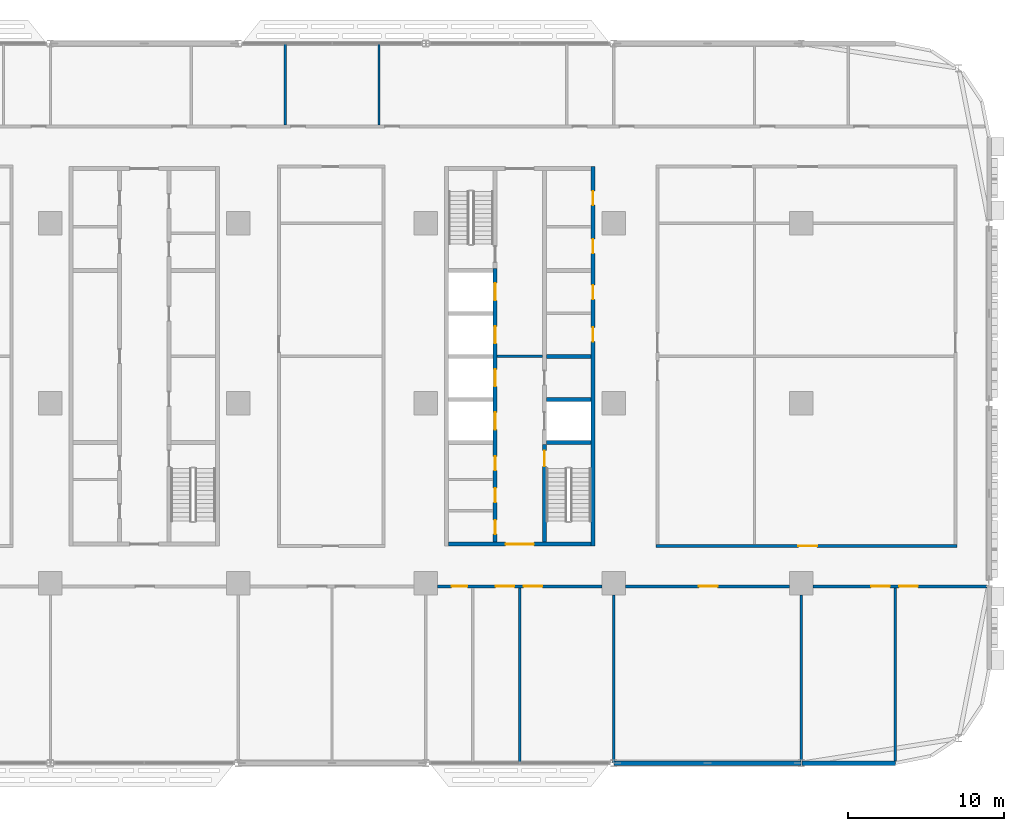
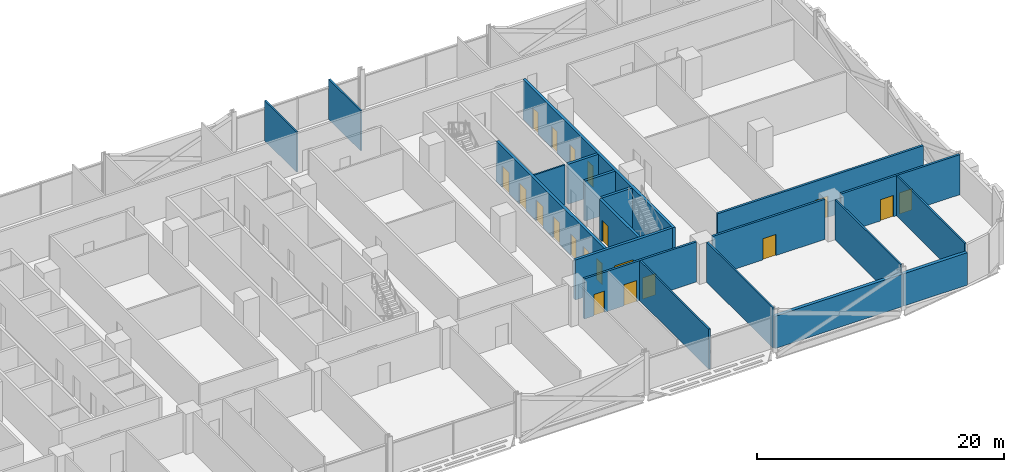
# One storey, part 16 of 29: 20 doors, 20 walls, 20 openings.
"""IFC4 building model written with IfcOpenShell, lengths in metres."""

from ifc_helpers import new_model, si_unit, direction, frame, frame_2d, origin, place, context, subcontext, project, spatial, rectangle, extrude, material, layer, layer_set, type_object, element, fill, save


model = new_model("IFC4")

# Units and contexts
model_context = context("Model", 3, precision=1e-05, world=origin(), true_north=direction((0.0, 1.0)))
body_context = subcontext(model_context, "Body", "Model", "MODEL_VIEW")
ifc_project = project(units=[si_unit("LENGTHUNIT", "METRE"), si_unit("AREAUNIT", "SQUARE_METRE"), si_unit("VOLUMEUNIT", "CUBIC_METRE"), si_unit("PLANEANGLEUNIT", "RADIAN"), si_unit("MASSUNIT", "GRAM", prefix="KILO")], contexts=[model_context])

# Site, building, storey
site_placement = place(None, origin())
site = spatial("IfcSite", under=ifc_project, at=site_placement, CompositionType="ELEMENT")
building_placement = place(site_placement, origin())
building = spatial("IfcBuilding", under=site, at=building_placement, Name="Mahtab Terrace Research Tower", CompositionType="ELEMENT")
storey_placement = place(building_placement, frame((0.0, 0.0, 58.89990234375)))
storey = spatial("IfcBuildingStorey", under=building, at=storey_placement, Name="L13", CompositionType="ELEMENT", Elevation=58.89990234375)

# Wall
ifc_material_1 = material(Name="Gypsum board partition")
ifc_layer_1 = layer(ifc_material_1, 0.14990234375)
ifc_layer_set_1 = layer_set([ifc_layer_1], Name="Core partition 150")
wall_type_1 = type_object("IfcWallType", Name="Core partition 150", PredefinedType="PARTITIONING", material=ifc_layer_set_1)
wall_1_placement = place(storey_placement, frame((22.550048828125, 3.0, 0.0), z_axis=(0.0, 0.0, 1.0), x_axis=(1.0, 0.0, 0.0)))
element("IfcWall", 1, at=wall_1_placement, inside=storey, type_object=wall_type_1, Name="Core wall C ffl", PredefinedType="PARTITIONING", context=body_context, shape_type="SweptSolid", body=[
    extrude(rectangle(XDim=2.89990234375, YDim=0.14990234375, at=frame_2d((1.449951171875, 0.0))), origin(), (0.0, 0.0, 1.0), 3.960205078125),
])

# Wall, openings, doors
ifc_material_2 = material(Name="Concrete C70/85", Category="concrete")
ifc_layer_2 = layer(ifc_material_2, 0.25)
ifc_layer_set_2 = layer_set([ifc_layer_2], Name="Core wall 250")
wall_type_2 = type_object("IfcWallType", Name="Core wall 250", PredefinedType="SOLIDWALL", material=ifc_layer_set_2)
wall_2_placement = place(storey_placement, frame((28.675048828125, -9.125, 0.0), z_axis=(0.0, 0.0, 1.0), x_axis=(0.0, 1.0, 0.0)))
wall_2 = element("IfcWall", 2, at=wall_2_placement, inside=storey, type_object=wall_type_2, Name="Core wall C outerE", PredefinedType="SOLIDWALL", context=body_context, shape_type="SweptSolid", body=[
    extrude(rectangle(XDim=24.25, YDim=0.25, at=frame_2d((12.125, 0.0))), origin(), (0.0, 0.0, 1.0), 3.960205078125),
])
opening_1_placement = place(wall_2_placement, frame((13.074951171875, 0.0, 0.0)))
opening_1 = element("IfcOpeningElement", 3, at=opening_1_placement, cuts=wall_2, Name="Opening C-R2", PredefinedType="OPENING", context=body_context, shape_type="SweptSolid", body=[
    extrude(rectangle(XDim=0.89990234375, YDim=2.10009765625, at=frame_2d((0.449951171875, 1.050048828125))), frame((0.0, 0.135009765625, 0.0), z_axis=(0.0, -1.0, 0.0), x_axis=(1.0, 0.0, 0.0)), (0.0, 0.0, 1.0), 0.27001953125),
])
opening_2_placement = place(wall_2_placement, frame((15.77490234375, 0.0, 0.0)))
opening_2 = element("IfcOpeningElement", 4, at=opening_2_placement, cuts=wall_2, Name="Opening C-R3", PredefinedType="OPENING", context=body_context, shape_type="SweptSolid", body=[
    extrude(rectangle(XDim=0.89990234375, YDim=2.10009765625, at=frame_2d((0.449951171875, 1.050048828125))), frame((0.0, 0.135009765625, 0.0), z_axis=(0.0, -1.0, 0.0), x_axis=(1.0, 0.0, 0.0)), (0.0, 0.0, 1.0), 0.27001953125),
])
opening_3_placement = place(wall_2_placement, frame((18.71240234375, 0.0, 0.0)))
opening_3 = element("IfcOpeningElement", 5, at=opening_3_placement, cuts=wall_2, Name="Opening C-R7", PredefinedType="OPENING", context=body_context, shape_type="SweptSolid", body=[
    extrude(rectangle(XDim=0.89990234375, YDim=2.10009765625, at=frame_2d((0.449951171875, 1.050048828125))), frame((0.0, 0.135009765625, 0.0), z_axis=(0.0, -1.0, 0.0), x_axis=(1.0, 0.0, 0.0)), (0.0, 0.0, 1.0), 0.27001953125),
])
opening_4_placement = place(wall_2_placement, frame((21.78759765625, 0.0, 0.0)))
opening_4 = element("IfcOpeningElement", 6, at=opening_4_placement, cuts=wall_2, Name="Opening C-R8", PredefinedType="OPENING", context=body_context, shape_type="SweptSolid", body=[
    extrude(rectangle(XDim=0.89990234375, YDim=2.10009765625, at=frame_2d((0.449951171875, 1.050048828125))), frame((0.0, 0.135009765625, 0.0), z_axis=(0.0, -1.0, 0.0), x_axis=(1.0, 0.0, 0.0)), (0.0, 0.0, 1.0), 0.27001953125),
])
ifc_material_3 = material(Name="Steel fire door", Category="steel")
door_type_1 = type_object("IfcDoorType", Name="Room door 900x2100 1 HR", OperationType="NOTDEFINED", PredefinedType="DOOR", material=ifc_material_3)
door_1_placement = place(opening_1_placement, origin())
door_1 = element("IfcDoor", 7, at=door_1_placement, inside=storey, type_object=door_type_1, Name="Document store door", OperationType="SINGLE_SWING_RIGHT", OverallHeight=2.10009765625, OverallWidth=0.89990234375, PredefinedType="DOOR", context=body_context, shape_type="SweptSolid", body=[
    extrude(rectangle(XDim=0.89990234375, YDim=2.10009765625, at=frame_2d((0.449951171875, 1.050048828125))), frame((0.0, 0.02490234375, 0.0), z_axis=(0.0, -1.0, 0.0), x_axis=(1.0, 0.0, 0.0)), (0.0, 0.0, 1.0), 0.050048828125),
])
fill(opening_1, door_1)
door_2_placement = place(opening_2_placement, origin())
door_2 = element("IfcDoor", 8, at=door_2_placement, inside=storey, type_object=door_type_1, Name="IT equipment room door", OperationType="SINGLE_SWING_LEFT", OverallHeight=2.10009765625, OverallWidth=0.89990234375, PredefinedType="DOOR", context=body_context, shape_type="SweptSolid", body=[
    extrude(rectangle(XDim=0.89990234375, YDim=2.10009765625, at=frame_2d((0.449951171875, 1.050048828125))), frame((0.0, 0.02490234375, 0.0), z_axis=(0.0, -1.0, 0.0), x_axis=(1.0, 0.0, 0.0)), (0.0, 0.0, 1.0), 0.050048828125),
])
fill(opening_2, door_2)
door_3_placement = place(opening_3_placement, origin())
door_3 = element("IfcDoor", 9, at=door_3_placement, inside=storey, type_object=door_type_1, Name="Mechanical riser room door", OperationType="SINGLE_SWING_LEFT", OverallHeight=2.10009765625, OverallWidth=0.89990234375, PredefinedType="DOOR", context=body_context, shape_type="SweptSolid", body=[
    extrude(rectangle(XDim=0.89990234375, YDim=2.10009765625, at=frame_2d((0.449951171875, 1.050048828125))), frame((0.0, 0.02490234375, 0.0), z_axis=(0.0, -1.0, 0.0), x_axis=(1.0, 0.0, 0.0)), (0.0, 0.0, 1.0), 0.050048828125),
])
fill(opening_3, door_3)
door_4_placement = place(opening_4_placement, origin())
door_4 = element("IfcDoor", 10, at=door_4_placement, inside=storey, type_object=door_type_1, Name="Chemical store door", OperationType="SINGLE_SWING_RIGHT", OverallHeight=2.10009765625, OverallWidth=0.89990234375, PredefinedType="DOOR", context=body_context, shape_type="SweptSolid", body=[
    extrude(rectangle(XDim=0.89990234375, YDim=2.10009765625, at=frame_2d((0.449951171875, 1.050048828125))), frame((0.0, 0.02490234375, 0.0), z_axis=(0.0, -1.0, 0.0), x_axis=(1.0, 0.0, 0.0)), (0.0, 0.0, 1.0), 0.050048828125),
])
fill(opening_4, door_4)

# Wall, opening, door
wall_3_placement = place(storey_placement, frame((28.550048828125, -9.0, 0.0), z_axis=(0.0, 0.0, 1.0), x_axis=(-1.0, 0.0, 0.0)))
wall_3 = element("IfcWall", 11, at=wall_3_placement, inside=storey, type_object=wall_type_2, Name="Core wall C endS", PredefinedType="SOLIDWALL", context=body_context, shape_type="SweptSolid", body=[
    extrude(rectangle(XDim=9.10009765625, YDim=0.25, at=frame_2d((4.550048828125, 0.0))), origin(), (0.0, 0.0, 1.0), 3.960205078125),
])
opening_5_placement = place(wall_3_placement, frame((3.64990234375, 0.0, 0.0)))
opening_5 = element("IfcOpeningElement", 12, at=opening_5_placement, cuts=wall_3, Name="Opening C-S1", PredefinedType="OPENING", context=body_context, shape_type="SweptSolid", body=[
    extrude(rectangle(XDim=1.800048828125, YDim=2.10009765625, at=frame_2d((0.89990234375, 1.050048828125))), frame((0.0, 0.135009765625, 0.0), z_axis=(0.0, -1.0, 0.0), x_axis=(1.0, 0.0, 0.0)), (0.0, 0.0, 1.0), 0.27001953125),
])
door_type_2 = type_object("IfcDoorType", Name="Lobby double door 1800x2100 1 HR", OperationType="DOUBLE_DOOR_SINGLE_SWING", PredefinedType="DOOR", material=ifc_material_3)
door_5_placement = place(opening_5_placement, origin())
door_5 = element("IfcDoor", 13, at=door_5_placement, inside=storey, type_object=door_type_2, Name="Core entrance door C S", OperationType="DOUBLE_DOOR_SINGLE_SWING", OverallHeight=2.10009765625, OverallWidth=1.800048828125, PredefinedType="DOOR", context=body_context, shape_type="SweptSolid", body=[
    extrude(rectangle(XDim=1.800048828125, YDim=2.10009765625, at=frame_2d((0.89990234375, 1.050048828125))), frame((0.0, 0.02490234375, 0.0), z_axis=(0.0, -1.0, 0.0), x_axis=(1.0, 0.0, 0.0)), (0.0, 0.0, 1.0), 0.050048828125),
])
fill(opening_5, door_5)

# Wall, openings, doors
wall_4_placement = place(storey_placement, frame((22.425048828125, -8.875, 0.0), z_axis=(0.0, 0.0, 1.0), x_axis=(0.0, 1.0, 0.0)))
wall_4 = element("IfcWall", 14, at=wall_4_placement, inside=storey, type_object=wall_type_2, Name="Core wall C innerWSL", PredefinedType="SOLIDWALL", context=body_context, shape_type="SweptSolid", body=[
    extrude(rectangle(XDim=17.5, YDim=0.25, at=frame_2d((8.75, 0.0))), origin(), (0.0, 0.0, 1.0), 3.960205078125),
])
opening_6_placement = place(wall_4_placement, frame((7.199951171875, 0.0, 0.0)))
opening_6 = element("IfcOpeningElement", 15, at=opening_6_placement, cuts=wall_4, Name="Opening LD17-L13", PredefinedType="OPENING", context=body_context, shape_type="SweptSolid", body=[
    extrude(rectangle(XDim=1.10009765625, YDim=2.10009765625, at=frame_2d((0.550048828125, 1.050048828125))), frame((0.0, 0.135009765625, 0.0), z_axis=(0.0, -1.0, 0.0), x_axis=(1.0, 0.0, 0.0)), (0.0, 0.0, 1.0), 0.27001953125),
])
opening_7_placement = place(wall_4_placement, frame((9.949951171875, 0.0, 0.0)))
opening_7 = element("IfcOpeningElement", 16, at=opening_7_placement, cuts=wall_4, Name="Opening LD18-L13", PredefinedType="OPENING", context=body_context, shape_type="SweptSolid", body=[
    extrude(rectangle(XDim=1.10009765625, YDim=2.10009765625, at=frame_2d((0.550048828125, 1.050048828125))), frame((0.0, 0.135009765625, 0.0), z_axis=(0.0, -1.0, 0.0), x_axis=(1.0, 0.0, 0.0)), (0.0, 0.0, 1.0), 0.27001953125),
])
opening_8_placement = place(wall_4_placement, frame((12.699951171875, 0.0, 0.0)))
opening_8 = element("IfcOpeningElement", 17, at=opening_8_placement, cuts=wall_4, Name="Opening LD19-L13", PredefinedType="OPENING", context=body_context, shape_type="SweptSolid", body=[
    extrude(rectangle(XDim=1.10009765625, YDim=2.10009765625, at=frame_2d((0.550048828125, 1.050048828125))), frame((0.0, 0.135009765625, 0.0), z_axis=(0.0, -1.0, 0.0), x_axis=(1.0, 0.0, 0.0)), (0.0, 0.0, 1.0), 0.27001953125),
])
opening_9_placement = place(wall_4_placement, frame((15.449951171875, 0.0, 0.0)))
opening_9 = element("IfcOpeningElement", 18, at=opening_9_placement, cuts=wall_4, Name="Opening LD20-L13", PredefinedType="OPENING", context=body_context, shape_type="SweptSolid", body=[
    extrude(rectangle(XDim=1.10009765625, YDim=2.10009765625, at=frame_2d((0.550048828125, 1.050048828125))), frame((0.0, 0.135009765625, 0.0), z_axis=(0.0, -1.0, 0.0), x_axis=(1.0, 0.0, 0.0)), (0.0, 0.0, 1.0), 0.27001953125),
])
opening_10_placement = place(wall_4_placement, frame((0.512451171875, 0.0, 0.0)))
opening_10 = element("IfcOpeningElement", 19, at=opening_10_placement, cuts=wall_4, Name="Opening C-R4", PredefinedType="OPENING", context=body_context, shape_type="SweptSolid", body=[
    extrude(rectangle(XDim=0.89990234375, YDim=2.10009765625, at=frame_2d((0.449951171875, 1.050048828125))), frame((0.0, 0.135009765625, 0.0), z_axis=(0.0, -1.0, 0.0), x_axis=(1.0, 0.0, 0.0)), (0.0, 0.0, 1.0), 0.27001953125),
])
opening_11_placement = place(wall_4_placement, frame((2.550048828125, 0.0, 0.0)))
opening_11 = element("IfcOpeningElement", 20, at=opening_11_placement, cuts=wall_4, Name="Opening C-R5", PredefinedType="OPENING", context=body_context, shape_type="SweptSolid", body=[
    extrude(rectangle(XDim=0.89990234375, YDim=2.10009765625, at=frame_2d((0.449951171875, 1.050048828125))), frame((0.0, 0.135009765625, 0.0), z_axis=(0.0, -1.0, 0.0), x_axis=(1.0, 0.0, 0.0)), (0.0, 0.0, 1.0), 0.27001953125),
])
opening_12_placement = place(wall_4_placement, frame((4.58740234375, 0.0, 0.0)))
opening_12 = element("IfcOpeningElement", 21, at=opening_12_placement, cuts=wall_4, Name="Opening C-R6", PredefinedType="OPENING", context=body_context, shape_type="SweptSolid", body=[
    extrude(rectangle(XDim=0.89990234375, YDim=2.10009765625, at=frame_2d((0.449951171875, 1.050048828125))), frame((0.0, 0.135009765625, 0.0), z_axis=(0.0, -1.0, 0.0), x_axis=(1.0, 0.0, 0.0)), (0.0, 0.0, 1.0), 0.27001953125),
])
ifc_material_4 = material(Name="Stainless steel AISI 304", Category="steel")
door_type_3 = type_object("IfcDoorType", Name="Landing door 1100x2100", OperationType="DOUBLE_DOOR_SLIDING", PredefinedType="DOOR", material=ifc_material_4)
door_6_placement = place(opening_6_placement, origin())
door_6 = element("IfcDoor", 22, at=door_6_placement, inside=storey, type_object=door_type_3, Name="Landing door SV1 L13", OperationType="DOUBLE_DOOR_SLIDING", OverallHeight=2.10009765625, OverallWidth=1.10009765625, PredefinedType="DOOR", context=body_context, shape_type="SweptSolid", body=[
    extrude(rectangle(XDim=1.10009765625, YDim=2.10009765625, at=frame_2d((0.550048828125, 1.050048828125))), frame((0.0, 0.02490234375, 0.0), z_axis=(0.0, -1.0, 0.0), x_axis=(1.0, 0.0, 0.0)), (0.0, 0.0, 1.0), 0.050048828125),
])
fill(opening_6, door_6)
door_7_placement = place(opening_7_placement, origin())
door_7 = element("IfcDoor", 23, at=door_7_placement, inside=storey, type_object=door_type_3, Name="Landing door SV2 L13", OperationType="DOUBLE_DOOR_SLIDING", OverallHeight=2.10009765625, OverallWidth=1.10009765625, PredefinedType="DOOR", context=body_context, shape_type="SweptSolid", body=[
    extrude(rectangle(XDim=1.10009765625, YDim=2.10009765625, at=frame_2d((0.550048828125, 1.050048828125))), frame((0.0, 0.02490234375, 0.0), z_axis=(0.0, -1.0, 0.0), x_axis=(1.0, 0.0, 0.0)), (0.0, 0.0, 1.0), 0.050048828125),
])
fill(opening_7, door_7)
door_8_placement = place(opening_8_placement, origin())
door_8 = element("IfcDoor", 24, at=door_8_placement, inside=storey, type_object=door_type_3, Name="Landing door FF1 L13", OperationType="DOUBLE_DOOR_SLIDING", OverallHeight=2.10009765625, OverallWidth=1.10009765625, PredefinedType="DOOR", context=body_context, shape_type="SweptSolid", body=[
    extrude(rectangle(XDim=1.10009765625, YDim=2.10009765625, at=frame_2d((0.550048828125, 1.050048828125))), frame((0.0, 0.02490234375, 0.0), z_axis=(0.0, -1.0, 0.0), x_axis=(1.0, 0.0, 0.0)), (0.0, 0.0, 1.0), 0.050048828125),
])
fill(opening_8, door_8)
door_9_placement = place(opening_9_placement, origin())
door_9 = element("IfcDoor", 25, at=door_9_placement, inside=storey, type_object=door_type_3, Name="Landing door FF2 L13", OperationType="DOUBLE_DOOR_SLIDING", OverallHeight=2.10009765625, OverallWidth=1.10009765625, PredefinedType="DOOR", context=body_context, shape_type="SweptSolid", body=[
    extrude(rectangle(XDim=1.10009765625, YDim=2.10009765625, at=frame_2d((0.550048828125, 1.050048828125))), frame((0.0, 0.02490234375, 0.0), z_axis=(0.0, -1.0, 0.0), x_axis=(1.0, 0.0, 0.0)), (0.0, 0.0, 1.0), 0.050048828125),
])
fill(opening_9, door_9)
door_10_placement = place(opening_10_placement, origin())
door_10 = element("IfcDoor", 26, at=door_10_placement, inside=storey, type_object=door_type_1, Name="Male WC door", OperationType="SINGLE_SWING_RIGHT", OverallHeight=2.10009765625, OverallWidth=0.89990234375, PredefinedType="DOOR", context=body_context, shape_type="SweptSolid", body=[
    extrude(rectangle(XDim=0.89990234375, YDim=2.10009765625, at=frame_2d((0.449951171875, 1.050048828125))), frame((0.0, 0.02490234375, 0.0), z_axis=(0.0, -1.0, 0.0), x_axis=(1.0, 0.0, 0.0)), (0.0, 0.0, 1.0), 0.050048828125),
])
fill(opening_10, door_10)
door_11_placement = place(opening_11_placement, origin())
door_11 = element("IfcDoor", 27, at=door_11_placement, inside=storey, type_object=door_type_1, Name="Female WC door", OperationType="SINGLE_SWING_LEFT", OverallHeight=2.10009765625, OverallWidth=0.89990234375, PredefinedType="DOOR", context=body_context, shape_type="SweptSolid", body=[
    extrude(rectangle(XDim=0.89990234375, YDim=2.10009765625, at=frame_2d((0.449951171875, 1.050048828125))), frame((0.0, 0.02490234375, 0.0), z_axis=(0.0, -1.0, 0.0), x_axis=(1.0, 0.0, 0.0)), (0.0, 0.0, 1.0), 0.050048828125),
])
fill(opening_11, door_11)
door_12_placement = place(opening_12_placement, origin())
door_12 = element("IfcDoor", 28, at=door_12_placement, inside=storey, type_object=door_type_1, Name="Accessible WC door", OperationType="SINGLE_SWING_RIGHT", OverallHeight=2.10009765625, OverallWidth=0.89990234375, PredefinedType="DOOR", context=body_context, shape_type="SweptSolid", body=[
    extrude(rectangle(XDim=0.89990234375, YDim=2.10009765625, at=frame_2d((0.449951171875, 1.050048828125))), frame((0.0, 0.02490234375, 0.0), z_axis=(0.0, -1.0, 0.0), x_axis=(1.0, 0.0, 0.0)), (0.0, 0.0, 1.0), 0.050048828125),
])
fill(opening_12, door_12)

# Wall, opening, door
wall_5_placement = place(storey_placement, frame((25.574951171875, -8.875, 0.0), z_axis=(0.0, 0.0, 1.0), x_axis=(0.0, 1.0, 0.0)))
wall_5 = element("IfcWall", 29, at=wall_5_placement, inside=storey, type_object=wall_type_2, Name="Core wall C innerES", PredefinedType="SOLIDWALL", context=body_context, shape_type="SweptSolid", body=[
    extrude(rectangle(XDim=6.25, YDim=0.25, at=frame_2d((3.125, 0.0))), origin(), (0.0, 0.0, 1.0), 3.960205078125),
])
opening_13_placement = place(wall_5_placement, frame((4.85009765625, 0.0, 0.0)))
opening_13 = element("IfcOpeningElement", 30, at=opening_13_placement, cuts=wall_5, Name="Opening C-ST4", PredefinedType="OPENING", context=body_context, shape_type="SweptSolid", body=[
    extrude(rectangle(XDim=1.0, YDim=2.10009765625, at=frame_2d((0.5, 1.050048828125))), frame((0.0, 0.135009765625, 0.0), z_axis=(0.0, -1.0, 0.0), x_axis=(1.0, 0.0, 0.0)), (0.0, 0.0, 1.0), 0.27001953125),
])
door_type_4 = type_object("IfcDoorType", Name="Stair door 1000x2100 1.5 HR", OperationType="NOTDEFINED", PredefinedType="DOOR", material=ifc_material_3)
door_13_placement = place(opening_13_placement, origin())
door_13 = element("IfcDoor", 31, at=door_13_placement, inside=storey, type_object=door_type_4, Name="Stair door ST4 L13", OperationType="SINGLE_SWING_RIGHT", OverallHeight=2.10009765625, OverallWidth=1.0, PredefinedType="DOOR", context=body_context, shape_type="SweptSolid", body=[
    extrude(rectangle(XDim=1.0, YDim=2.10009765625, at=frame_2d((0.5, 1.050048828125))), frame((0.0, 0.02490234375, 0.0), z_axis=(0.0, -1.0, 0.0), x_axis=(1.0, 0.0, 0.0)), (0.0, 0.0, 1.0), 0.050048828125),
])
fill(opening_13, door_13)

# Walls
for number, where, z_axis, x_axis, name in (
    (32, (25.699951171875, -2.5, 0.0), (0.0, 0.0, 1.0), (1.0, 0.0, 0.0), "Core wall C divE0"),
    (33, (25.699951171875, 0.25, 0.0), (0.0, 0.0, 1.0), (1.0, 0.0, 0.0), "Core wall C divE1"),
    (34, (25.699951171875, 3.0, 0.0), (0.0, 0.0, 1.0), (1.0, 0.0, 0.0), "Core wall C divE2"),
):
    element("IfcWall", number, at=place(storey_placement, frame(where, z_axis=z_axis, x_axis=x_axis)), inside=storey, type_object=wall_type_2, Name=name, PredefinedType="SOLIDWALL", context=body_context, shape_type="SweptSolid", body=[
        extrude(rectangle(XDim=2.85009765625, YDim=0.25, at=frame_2d((1.425048828125, 0.0))), origin(), (0.0, 0.0, 1.0), 3.960205078125),
    ])
ifc_material_5 = material(Name="Black aluminium cladding panel", Category="aluminium")
ifc_layer_3 = layer(ifc_material_5, 0.300048828125)
ifc_layer_set_3 = layer_set([ifc_layer_3], Name="Opaque facade wall 300")
wall_type_3 = type_object("IfcWallType", Name="Opaque facade wall 300", PredefinedType="NOTDEFINED", material=ifc_layer_set_3)
wall_6_placement = place(storey_placement, frame((30.02392578125, -23.0, 0.0), z_axis=(0.0, 0.0, 1.0), x_axis=(1.0, 0.0, 0.0)))
element("IfcWall", 35, at=wall_6_placement, inside=storey, type_object=wall_type_3, Name="Opaque facade wall L13 S29", PredefinedType="NOTDEFINED", context=body_context, shape_type="SweptSolid", body=[
    extrude(rectangle(XDim=11.9521484375, YDim=0.300048828125, at=frame_2d((5.97607421875, 0.0))), origin(), (0.0, 0.0, 1.0), 3.203125),
])
wall_7_placement = place(storey_placement, frame((42.02392578125, -23.0, 0.0), z_axis=(0.0, 0.0, 1.0), x_axis=(1.0, 0.0, 0.0)))
element("IfcWall", 36, at=wall_7_placement, inside=storey, type_object=wall_type_3, Name="Opaque facade wall L13 S30", PredefinedType="NOTDEFINED", context=body_context, shape_type="SweptSolid", body=[
    extrude(rectangle(XDim=5.97607421875, YDim=0.300048828125, at=frame_2d((2.988037109375, 0.0))), origin(), (0.0, 0.0, 1.0), 3.203125),
])

# Wall, openings, doors
ifc_material_6 = material(Name="Gypsum board corridor wall on steel studs", Category="steel")
ifc_layer_4 = layer(ifc_material_6, 0.199951171875)
ifc_layer_set_4 = layer_set([ifc_layer_4], Name="WALL CORRIDOR 200")
wall_type_4 = type_object("IfcWallType", Name="WALL CORRIDOR 200", PredefinedType="PARTITIONING", material=ifc_layer_set_4)
wall_8_placement = place(storey_placement, frame((18.75, -11.699951171875, 0.0), z_axis=(0.0, 0.0, 1.0), x_axis=(1.0, 0.0, 0.0)))
wall_8 = element("IfcWall", 37, at=wall_8_placement, inside=storey, type_object=wall_type_4, Name="L13-W006", PredefinedType="PARTITIONING", context=body_context, shape_type="SweptSolid", body=[
    extrude(rectangle(XDim=10.5, YDim=0.199951171875, at=frame_2d((5.25, 0.0))), origin(), (0.0, 0.0, 1.0), 3.960205078125),
])
opening_14_placement = place(wall_8_placement, frame((0.89990234375, 0.0, 0.0)))
opening_14 = element("IfcOpeningElement", 38, at=opening_14_placement, cuts=wall_8, Name="Opening L13-110", PredefinedType="OPENING", context=body_context, shape_type="SweptSolid", body=[
    extrude(rectangle(XDim=1.0, YDim=2.10009765625, at=frame_2d((0.5, 1.050048828125))), frame((0.0, 0.10986328125, 0.0), z_axis=(0.0, -1.0, 0.0), x_axis=(1.0, 0.0, 0.0)), (0.0, 0.0, 1.0), 0.219970703125),
])
opening_15_placement = place(wall_8_placement, frame((3.699951171875, 0.0, 0.0)))
opening_15 = element("IfcOpeningElement", 39, at=opening_15_placement, cuts=wall_8, Name="Opening L13-111", PredefinedType="OPENING", context=body_context, shape_type="SweptSolid", body=[
    extrude(rectangle(XDim=1.199951171875, YDim=2.10009765625, at=frame_2d((0.60009765625, 1.050048828125))), frame((0.0, 0.10986328125, 0.0), z_axis=(0.0, -1.0, 0.0), x_axis=(1.0, 0.0, 0.0)), (0.0, 0.0, 1.0), 0.219970703125),
])
opening_16_placement = place(wall_8_placement, frame((5.5, 0.0, 0.0)))
opening_16 = element("IfcOpeningElement", 40, at=opening_16_placement, cuts=wall_8, Name="Opening L13-112", PredefinedType="OPENING", context=body_context, shape_type="SweptSolid", body=[
    extrude(rectangle(XDim=1.199951171875, YDim=2.10009765625, at=frame_2d((0.60009765625, 1.050048828125))), frame((0.0, 0.10986328125, 0.0), z_axis=(0.0, -1.0, 0.0), x_axis=(1.0, 0.0, 0.0)), (0.0, 0.0, 1.0), 0.219970703125),
])
ifc_material_7 = material(Name="Timber door leaf in steel frame", Category="steel")
door_type_5 = type_object("IfcDoorType", Name="DOOR 1000X2100 FD30S", OperationType="SINGLE_SWING_LEFT", PredefinedType="DOOR", material=ifc_material_7)
door_14_placement = place(opening_14_placement, origin())
door_14 = element("IfcDoor", 41, at=door_14_placement, inside=storey, type_object=door_type_5, Name="Door L13-110", OperationType="SINGLE_SWING_RIGHT", OverallHeight=2.10009765625, OverallWidth=1.0, PredefinedType="DOOR", context=body_context, shape_type="SweptSolid", body=[
    extrude(rectangle(XDim=1.0, YDim=2.10009765625, at=frame_2d((0.5, 1.050048828125))), frame((0.0, 0.02490234375, 0.0), z_axis=(0.0, -1.0, 0.0), x_axis=(1.0, 0.0, 0.0)), (0.0, 0.0, 1.0), 0.050048828125),
])
fill(opening_14, door_14)
door_type_6 = type_object("IfcDoorType", Name="DOOR 1200X2100 FD30S", OperationType="SINGLE_SWING_LEFT", PredefinedType="DOOR", material=ifc_material_7)
door_15_placement = place(opening_15_placement, origin())
door_15 = element("IfcDoor", 42, at=door_15_placement, inside=storey, type_object=door_type_6, Name="Door L13-111", OperationType="SINGLE_SWING_RIGHT", OverallHeight=2.10009765625, OverallWidth=1.199951171875, PredefinedType="DOOR", context=body_context, shape_type="SweptSolid", body=[
    extrude(rectangle(XDim=1.199951171875, YDim=2.10009765625, at=frame_2d((0.60009765625, 1.050048828125))), frame((0.0, 0.02490234375, 0.0), z_axis=(0.0, -1.0, 0.0), x_axis=(1.0, 0.0, 0.0)), (0.0, 0.0, 1.0), 0.050048828125),
])
fill(opening_15, door_15)
door_16_placement = place(opening_16_placement, origin())
door_16 = element("IfcDoor", 43, at=door_16_placement, inside=storey, type_object=door_type_6, Name="Door L13-112", OperationType="SINGLE_SWING_LEFT", OverallHeight=2.10009765625, OverallWidth=1.199951171875, PredefinedType="DOOR", context=body_context, shape_type="SweptSolid", body=[
    extrude(rectangle(XDim=1.199951171875, YDim=2.10009765625, at=frame_2d((0.60009765625, 1.050048828125))), frame((0.0, 0.02490234375, 0.0), z_axis=(0.0, -1.0, 0.0), x_axis=(1.0, 0.0, 0.0)), (0.0, 0.0, 1.0), 0.050048828125),
])
fill(opening_16, door_16)

# Wall, opening, door
wall_9_placement = place(storey_placement, frame((30.75, -11.699951171875, 0.0), z_axis=(0.0, 0.0, 1.0), x_axis=(1.0, 0.0, 0.0)))
wall_9 = element("IfcWall", 44, at=wall_9_placement, inside=storey, type_object=wall_type_4, Name="L13-W007", PredefinedType="PARTITIONING", context=body_context, shape_type="SweptSolid", body=[
    extrude(rectangle(XDim=10.5, YDim=0.199951171875, at=frame_2d((5.25, 0.0))), origin(), (0.0, 0.0, 1.0), 3.960205078125),
])
opening_17_placement = place(wall_9_placement, frame((4.699951171875, 0.0, 0.0)))
opening_17 = element("IfcOpeningElement", 45, at=opening_17_placement, cuts=wall_9, Name="Opening L13-113", PredefinedType="OPENING", context=body_context, shape_type="SweptSolid", body=[
    extrude(rectangle(XDim=1.199951171875, YDim=2.10009765625, at=frame_2d((0.60009765625, 1.050048828125))), frame((0.0, 0.10986328125, 0.0), z_axis=(0.0, -1.0, 0.0), x_axis=(1.0, 0.0, 0.0)), (0.0, 0.0, 1.0), 0.219970703125),
])
door_17_placement = place(opening_17_placement, origin())
door_17 = element("IfcDoor", 46, at=door_17_placement, inside=storey, type_object=door_type_6, Name="Door L13-113", OperationType="SINGLE_SWING_LEFT", OverallHeight=2.10009765625, OverallWidth=1.199951171875, PredefinedType="DOOR", context=body_context, shape_type="SweptSolid", body=[
    extrude(rectangle(XDim=1.199951171875, YDim=2.10009765625, at=frame_2d((0.60009765625, 1.050048828125))), frame((0.0, 0.02490234375, 0.0), z_axis=(0.0, -1.0, 0.0), x_axis=(1.0, 0.0, 0.0)), (0.0, 0.0, 1.0), 0.050048828125),
])
fill(opening_17, door_17)

# Wall, openings, doors
wall_10_placement = place(storey_placement, frame((42.75, -11.699951171875, 0.0), z_axis=(0.0, 0.0, 1.0), x_axis=(1.0, 0.0, 0.0)))
wall_10 = element("IfcWall", 47, at=wall_10_placement, inside=storey, type_object=wall_type_4, Name="L13-W008", PredefinedType="PARTITIONING", context=body_context, shape_type="SweptSolid", body=[
    extrude(rectangle(XDim=11.10009765625, YDim=0.199951171875, at=frame_2d((5.550048828125, 0.0))), origin(), (0.0, 0.0, 1.0), 3.960205078125),
])
opening_18_placement = place(wall_10_placement, frame((3.699951171875, 0.0, 0.0)))
opening_18 = element("IfcOpeningElement", 48, at=opening_18_placement, cuts=wall_10, Name="Opening L13-114", PredefinedType="OPENING", context=body_context, shape_type="SweptSolid", body=[
    extrude(rectangle(XDim=1.199951171875, YDim=2.10009765625, at=frame_2d((0.60009765625, 1.050048828125))), frame((0.0, 0.10986328125, 0.0), z_axis=(0.0, -1.0, 0.0), x_axis=(1.0, 0.0, 0.0)), (0.0, 0.0, 1.0), 0.219970703125),
])
opening_19_placement = place(wall_10_placement, frame((5.5, 0.0, 0.0)))
opening_19 = element("IfcOpeningElement", 49, at=opening_19_placement, cuts=wall_10, Name="Opening L13-115", PredefinedType="OPENING", context=body_context, shape_type="SweptSolid", body=[
    extrude(rectangle(XDim=1.199951171875, YDim=2.10009765625, at=frame_2d((0.60009765625, 1.050048828125))), frame((0.0, 0.10986328125, 0.0), z_axis=(0.0, -1.0, 0.0), x_axis=(1.0, 0.0, 0.0)), (0.0, 0.0, 1.0), 0.219970703125),
])
door_18_placement = place(opening_18_placement, origin())
door_18 = element("IfcDoor", 50, at=door_18_placement, inside=storey, type_object=door_type_6, Name="Door L13-114", OperationType="SINGLE_SWING_RIGHT", OverallHeight=2.10009765625, OverallWidth=1.199951171875, PredefinedType="DOOR", context=body_context, shape_type="SweptSolid", body=[
    extrude(rectangle(XDim=1.199951171875, YDim=2.10009765625, at=frame_2d((0.60009765625, 1.050048828125))), frame((0.0, 0.02490234375, 0.0), z_axis=(0.0, -1.0, 0.0), x_axis=(1.0, 0.0, 0.0)), (0.0, 0.0, 1.0), 0.050048828125),
])
fill(opening_18, door_18)
door_19_placement = place(opening_19_placement, origin())
door_19 = element("IfcDoor", 51, at=door_19_placement, inside=storey, type_object=door_type_6, Name="Door L13-115", OperationType="SINGLE_SWING_LEFT", OverallHeight=2.10009765625, OverallWidth=1.199951171875, PredefinedType="DOOR", context=body_context, shape_type="SweptSolid", body=[
    extrude(rectangle(XDim=1.199951171875, YDim=2.10009765625, at=frame_2d((0.60009765625, 1.050048828125))), frame((0.0, 0.02490234375, 0.0), z_axis=(0.0, -1.0, 0.0), x_axis=(1.0, 0.0, 0.0)), (0.0, 0.0, 1.0), 0.050048828125),
])
fill(opening_19, door_19)

# Wall, opening, door
wall_11_placement = place(storey_placement, frame((32.699951171875, -9.125, 0.0), z_axis=(0.0, 0.0, 1.0), x_axis=(1.0, 0.0, 0.0)))
wall_11 = element("IfcWall", 52, at=wall_11_placement, inside=storey, type_object=wall_type_4, Name="L13-W012", PredefinedType="PARTITIONING", context=body_context, shape_type="SweptSolid", body=[
    extrude(rectangle(XDim=19.25, YDim=0.199951171875, at=frame_2d((9.625, 0.0))), origin(), (0.0, 0.0, 1.0), 3.960205078125),
])
opening_20_placement = place(wall_11_placement, frame((9.10009765625, 0.0, 0.0)))
opening_20 = element("IfcOpeningElement", 53, at=opening_20_placement, cuts=wall_11, Name="Opening L13-120", PredefinedType="OPENING", context=body_context, shape_type="SweptSolid", body=[
    extrude(rectangle(XDim=1.199951171875, YDim=2.10009765625, at=frame_2d((0.60009765625, 1.050048828125))), frame((0.0, 0.10986328125, 0.0), z_axis=(0.0, -1.0, 0.0), x_axis=(1.0, 0.0, 0.0)), (0.0, 0.0, 1.0), 0.219970703125),
])
door_20_placement = place(opening_20_placement, origin())
door_20 = element("IfcDoor", 54, at=door_20_placement, inside=storey, type_object=door_type_6, Name="Door L13-120", OperationType="SINGLE_SWING_RIGHT", OverallHeight=2.10009765625, OverallWidth=1.199951171875, PredefinedType="DOOR", context=body_context, shape_type="SweptSolid", body=[
    extrude(rectangle(XDim=1.199951171875, YDim=2.10009765625, at=frame_2d((0.60009765625, 1.050048828125))), frame((0.0, 0.02490234375, 0.0), z_axis=(0.0, -1.0, 0.0), x_axis=(1.0, 0.0, 0.0)), (0.0, 0.0, 1.0), 0.050048828125),
])
fill(opening_20, door_20)

# Walls
ifc_material_8 = material(Name="Gypsum board partition on steel studs", Category="steel")
ifc_layer_5 = layer(ifc_material_8, 0.14990234375)
ifc_layer_set_5 = layer_set([ifc_layer_5], Name="WALL PARTITION 150")
wall_type_5 = type_object("IfcWallType", Name="WALL PARTITION 150", PredefinedType="PARTITIONING", material=ifc_layer_set_5)
for number, where, z_axis, x_axis, name in (
    (55, (9.0, 17.800048828125, 0.0), (0.0, 0.0, 1.0), (0.0, 1.0, 0.0), "L13-W045"),
    (56, (15.0, 17.800048828125, 0.0), (0.0, 0.0, 1.0), (0.0, 1.0, 0.0), "L13-W047"),
):
    element("IfcWall", number, at=place(storey_placement, frame(where, z_axis=z_axis, x_axis=x_axis)), inside=storey, type_object=wall_type_5, Name=name, PredefinedType="PARTITIONING", context=body_context, shape_type="SweptSolid", body=[
        extrude(rectangle(XDim=5.175048828125, YDim=0.14990234375, at=frame_2d((2.58740234375, 0.0))), origin(), (0.0, 0.0, 1.0), 3.960205078125),
    ])
wall_12_placement = place(storey_placement, frame((24.0, -22.97509765625, 0.0), z_axis=(0.0, 0.0, 1.0), x_axis=(0.0, 1.0, 0.0)))
element("IfcWall", 57, at=wall_12_placement, inside=storey, type_object=wall_type_5, Name="L13-W051", PredefinedType="PARTITIONING", context=body_context, shape_type="SweptSolid", body=[
    extrude(rectangle(XDim=11.175048828125, YDim=0.14990234375, at=frame_2d((5.58740234375, 0.0))), origin(), (0.0, 0.0, 1.0), 3.960205078125),
])
wall_13_placement = place(storey_placement, frame((30.0, -22.97509765625, 0.0), z_axis=(0.0, 0.0, 1.0), x_axis=(0.0, 1.0, 0.0)))
element("IfcWall", 58, at=wall_13_placement, inside=storey, type_object=wall_type_5, Name="L13-W053", PredefinedType="PARTITIONING", context=body_context, shape_type="SweptSolid", body=[
    extrude(rectangle(XDim=10.72509765625, YDim=0.14990234375, at=frame_2d((5.362548828125, 0.0))), origin(), (0.0, 0.0, 1.0), 3.960205078125),
])
wall_14_placement = place(storey_placement, frame((42.0, -22.85009765625, 0.0), z_axis=(0.0, 0.0, 1.0), x_axis=(0.0, 1.0, 0.0)))
element("IfcWall", 59, at=wall_14_placement, inside=storey, type_object=wall_type_5, Name="L13-W058", PredefinedType="PARTITIONING", context=body_context, shape_type="SweptSolid", body=[
    extrude(rectangle(XDim=10.60009765625, YDim=0.14990234375, at=frame_2d((5.300048828125, 0.0))), origin(), (0.0, 0.0, 1.0), 3.960205078125),
])
wall_15_placement = place(storey_placement, frame((48.0, -22.84716796875, 0.0), z_axis=(0.0, 0.0, 1.0), x_axis=(0.0, 1.0, 0.0)))
element("IfcWall", 60, at=wall_15_placement, inside=storey, type_object=wall_type_5, Name="L13-W060", PredefinedType="PARTITIONING", context=body_context, shape_type="SweptSolid", body=[
    extrude(rectangle(XDim=11.047119140625, YDim=0.14990234375, at=frame_2d((5.5234375, 0.0))), origin(), (0.0, 0.0, 1.0), 3.960205078125),
])

save(model, "model.ifc")
